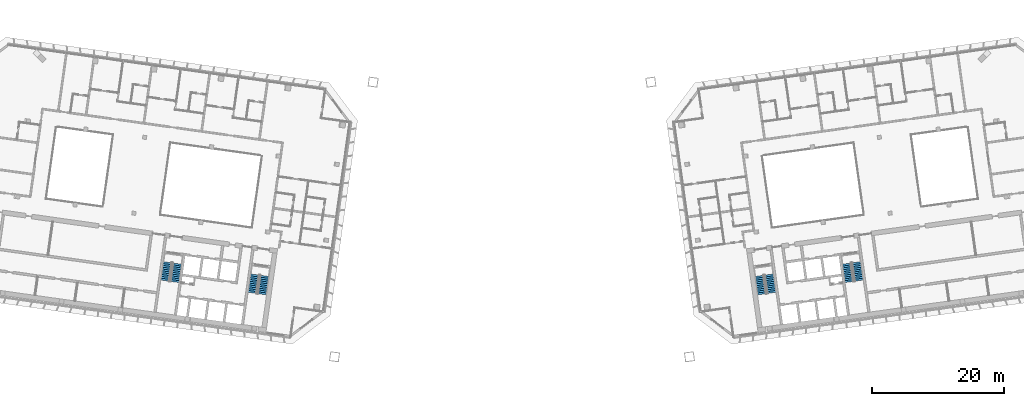
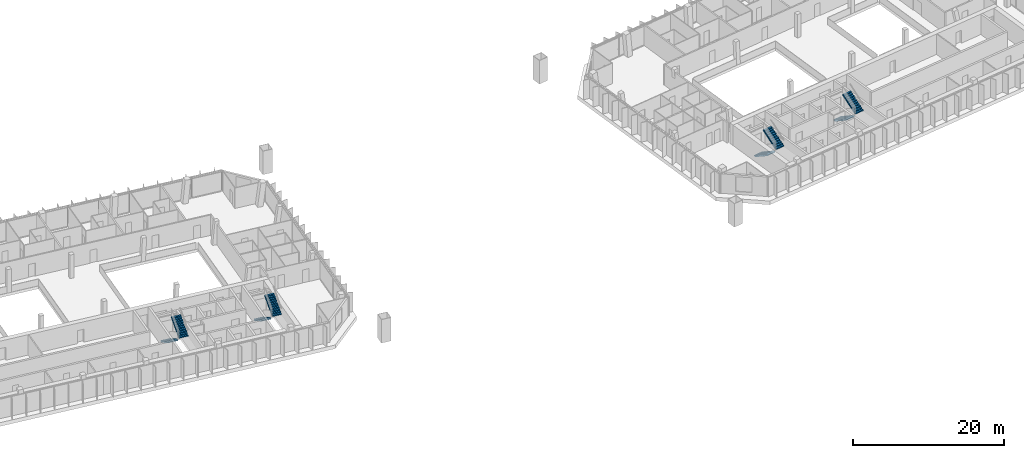
# One storey, part 23 of 29: 8 stair flights, 4 elements without a shape of their own.
"""IFC4 building model written with IfcOpenShell, lengths in metres."""

from ifc_helpers import new_model, si_unit, direction, frame, origin, place, context, subcontext, project, spatial, polyline, outline, extrude, material, type_object, element, aggregate, save


model = new_model("IFC4")

# Units and contexts
model_context = context("Model", 3, precision=1e-05, world=origin(), true_north=direction((0.0, 1.0)))
body_context = subcontext(model_context, "Body", "Model", "MODEL_VIEW")
ifc_project = project(units=[si_unit("LENGTHUNIT", "METRE"), si_unit("AREAUNIT", "SQUARE_METRE"), si_unit("VOLUMEUNIT", "CUBIC_METRE"), si_unit("PLANEANGLEUNIT", "RADIAN"), si_unit("MASSUNIT", "GRAM", prefix="KILO")], contexts=[model_context])

# Site, building, storey
site_placement = place(None, origin())
site = spatial("IfcSite", under=ifc_project, at=site_placement, CompositionType="ELEMENT")
building_placement = place(site_placement, origin())
building = spatial("IfcBuilding", under=site, at=building_placement, Name="Mirante Cascada Hotel Towers", CompositionType="ELEMENT")
storey_placement = place(building_placement, frame((0.0, 0.0, 206.8)))
storey = spatial("IfcBuildingStorey", under=building, at=storey_placement, Name="L49", CompositionType="ELEMENT", Elevation=206.8)

# Stair, stair flights
ifc_material_1 = material(Name="Concrete C35/45", Category="concrete")
stair_type = type_object("IfcStairType", Name="Exit stair half-turn 1350 concrete C35/45", PredefinedType="HALF_TURN_STAIR", material=ifc_material_1)
stair_1_placement = place(storey_placement, origin())
stair_1 = element("IfcStair", 1, at=stair_1_placement, inside=storey, type_object=stair_type, Name="L49 Exit stair A", PredefinedType="HALF_TURN_STAIR")
ifc_material_2 = material(Name="Concrete C35/45", Category="concrete")
stair_flight_type = type_object("IfcStairFlightType", Name="Exit stair flight 1350 concrete C35/45", PredefinedType="STRAIGHT", material=ifc_material_2)
stair_flight_1_placement = place(storey_placement, frame((-38.9417, -11.195, 0.0), z_axis=(0.0, 0.0, 1.0), x_axis=(-0.1391731, -0.9902681, 0.0)))
stair_flight_1 = element("IfcStairFlight", 2, at=stair_flight_1_placement, type_object=stair_flight_type, Name="ST1-A flight 1", NumberOfRisers=11, NumberOfTreads=10, PredefinedType="STRAIGHT", RiserHeight=0.172727273, TreadLength=0.28, context=body_context, shape_type="SweptSolid", body=[
    extrude(outline(polyline([(0.0, 0.0), (0.0, 0.1727), (0.28, 0.1727), (0.28, 0.3455), (0.56, 0.3455), (0.56, 0.5182), (0.84, 0.5182), (0.84, 0.6909), (1.12, 0.6909), (1.12, 0.8636), (1.4, 0.8636), (1.4, 1.0364), (1.68, 1.0364), (1.68, 1.2091), (1.96, 1.2091), (1.96, 1.3818), (2.24, 1.3818), (2.24, 1.5545), (2.52, 1.5545), (2.52, 1.7273), (2.8, 1.7273), (2.8, 1.9), (2.8, 1.551), (0.2857, 0.0), (0.0, 0.0)])), frame((0.0, 0.675, 0.0), z_axis=(0.0, -1.0, 0.0), x_axis=(1.0, 0.0, 0.0)), (0.0, 0.0, 1.0), 1.35),
])
stair_flight_2_placement = place(storey_placement, frame((-37.846, -14.1765, 1.9), z_axis=(0.0, 0.0, 1.0), x_axis=(0.1391731, 0.9902681, 0.0)))
stair_flight_2 = element("IfcStairFlight", 3, at=stair_flight_2_placement, type_object=stair_flight_type, Name="ST1-A flight 2", NumberOfRisers=11, NumberOfTreads=10, PredefinedType="STRAIGHT", RiserHeight=0.172727273, TreadLength=0.28, context=body_context, shape_type="SweptSolid", body=[
    extrude(outline(polyline([(0.0, 0.0), (0.0, 0.1727), (0.28, 0.1727), (0.28, 0.3455), (0.56, 0.3455), (0.56, 0.5182), (0.84, 0.5182), (0.84, 0.6909), (1.12, 0.6909), (1.12, 0.8636), (1.4, 0.8636), (1.4, 1.0364), (1.68, 1.0364), (1.68, 1.2091), (1.96, 1.2091), (1.96, 1.3818), (2.24, 1.3818), (2.24, 1.5545), (2.52, 1.5545), (2.52, 1.7273), (2.8, 1.7273), (2.8, 1.9), (2.8, 1.551), (0.2857, 0.0), (0.0, 0.0)])), frame((0.0, 0.675, 0.0), z_axis=(0.0, -1.0, 0.0), x_axis=(1.0, 0.0, 0.0)), (0.0, 0.0, 1.0), 1.35),
])
aggregate(stair_1, [stair_flight_1, stair_flight_2])

stair_2_placement = place(storey_placement, origin())
stair_2 = element("IfcStair", 4, at=stair_2_placement, inside=storey, type_object=stair_type, Name="L49 Exit stair B", PredefinedType="HALF_TURN_STAIR")
stair_flight_3_placement = place(storey_placement, frame((-52.1618, -9.3371, 0.0), z_axis=(0.0, 0.0, 1.0), x_axis=(-0.1391731, -0.9902681, 0.0)))
stair_flight_3 = element("IfcStairFlight", 5, at=stair_flight_3_placement, type_object=stair_flight_type, Name="ST1-B flight 1", NumberOfRisers=11, NumberOfTreads=10, PredefinedType="STRAIGHT", RiserHeight=0.172727273, TreadLength=0.28, context=body_context, shape_type="SweptSolid", body=[
    extrude(outline(polyline([(0.0, 0.0), (0.0, 0.1727), (0.28, 0.1727), (0.28, 0.3455), (0.56, 0.3455), (0.56, 0.5182), (0.84, 0.5182), (0.84, 0.6909), (1.12, 0.6909), (1.12, 0.8636), (1.4, 0.8636), (1.4, 1.0364), (1.68, 1.0364), (1.68, 1.2091), (1.96, 1.2091), (1.96, 1.3818), (2.24, 1.3818), (2.24, 1.5545), (2.52, 1.5545), (2.52, 1.7273), (2.8, 1.7273), (2.8, 1.9), (2.8, 1.551), (0.2857, 0.0), (0.0, 0.0)])), frame((0.0, 0.675, 0.0), z_axis=(0.0, -1.0, 0.0), x_axis=(1.0, 0.0, 0.0)), (0.0, 0.0, 1.0), 1.35),
])
stair_flight_4_placement = place(storey_placement, frame((-51.0661, -12.3186, 1.9), z_axis=(0.0, 0.0, 1.0), x_axis=(0.1391731, 0.9902681, 0.0)))
stair_flight_4 = element("IfcStairFlight", 6, at=stair_flight_4_placement, type_object=stair_flight_type, Name="ST1-B flight 2", NumberOfRisers=11, NumberOfTreads=10, PredefinedType="STRAIGHT", RiserHeight=0.172727273, TreadLength=0.28, context=body_context, shape_type="SweptSolid", body=[
    extrude(outline(polyline([(0.0, 0.0), (0.0, 0.1727), (0.28, 0.1727), (0.28, 0.3455), (0.56, 0.3455), (0.56, 0.5182), (0.84, 0.5182), (0.84, 0.6909), (1.12, 0.6909), (1.12, 0.8636), (1.4, 0.8636), (1.4, 1.0364), (1.68, 1.0364), (1.68, 1.2091), (1.96, 1.2091), (1.96, 1.3818), (2.24, 1.3818), (2.24, 1.5545), (2.52, 1.5545), (2.52, 1.7273), (2.8, 1.7273), (2.8, 1.9), (2.8, 1.551), (0.2857, 0.0), (0.0, 0.0)])), frame((0.0, 0.675, 0.0), z_axis=(0.0, -1.0, 0.0), x_axis=(1.0, 0.0, 0.0)), (0.0, 0.0, 1.0), 1.35),
])
aggregate(stair_2, [stair_flight_3, stair_flight_4])

stair_3_placement = place(storey_placement, origin())
stair_3 = element("IfcStair", 7, at=stair_3_placement, inside=storey, type_object=stair_type, Name="L49 Exit stair A", PredefinedType="HALF_TURN_STAIR")
stair_flight_5_placement = place(storey_placement, frame((37.4563, -11.4038, 0.0), z_axis=(0.0, 0.0, 1.0), x_axis=(0.1391731, -0.9902681, 0.0)))
stair_flight_5 = element("IfcStairFlight", 8, at=stair_flight_5_placement, type_object=stair_flight_type, Name="ST2-A flight 1", NumberOfRisers=11, NumberOfTreads=10, PredefinedType="STRAIGHT", RiserHeight=0.172727273, TreadLength=0.28, context=body_context, shape_type="SweptSolid", body=[
    extrude(outline(polyline([(0.0, 0.0), (0.0, 0.1727), (0.28, 0.1727), (0.28, 0.3455), (0.56, 0.3455), (0.56, 0.5182), (0.84, 0.5182), (0.84, 0.6909), (1.12, 0.6909), (1.12, 0.8636), (1.4, 0.8636), (1.4, 1.0364), (1.68, 1.0364), (1.68, 1.2091), (1.96, 1.2091), (1.96, 1.3818), (2.24, 1.3818), (2.24, 1.5545), (2.52, 1.5545), (2.52, 1.7273), (2.8, 1.7273), (2.8, 1.9), (2.8, 1.551), (0.2857, 0.0), (0.0, 0.0)])), frame((0.0, 0.675, 0.0), z_axis=(0.0, -1.0, 0.0), x_axis=(1.0, 0.0, 0.0)), (0.0, 0.0, 1.0), 1.35),
])
stair_flight_6_placement = place(storey_placement, frame((39.3314, -13.9678, 1.9), z_axis=(0.0, 0.0, 1.0), x_axis=(-0.1391731, 0.9902681, 0.0)))
stair_flight_6 = element("IfcStairFlight", 9, at=stair_flight_6_placement, type_object=stair_flight_type, Name="ST2-A flight 2", NumberOfRisers=11, NumberOfTreads=10, PredefinedType="STRAIGHT", RiserHeight=0.172727273, TreadLength=0.28, context=body_context, shape_type="SweptSolid", body=[
    extrude(outline(polyline([(0.0, 0.0), (0.0, 0.1727), (0.28, 0.1727), (0.28, 0.3455), (0.56, 0.3455), (0.56, 0.5182), (0.84, 0.5182), (0.84, 0.6909), (1.12, 0.6909), (1.12, 0.8636), (1.4, 0.8636), (1.4, 1.0364), (1.68, 1.0364), (1.68, 1.2091), (1.96, 1.2091), (1.96, 1.3818), (2.24, 1.3818), (2.24, 1.5545), (2.52, 1.5545), (2.52, 1.7273), (2.8, 1.7273), (2.8, 1.9), (2.8, 1.551), (0.2857, 0.0), (0.0, 0.0)])), frame((0.0, 0.675, 0.0), z_axis=(0.0, -1.0, 0.0), x_axis=(1.0, 0.0, 0.0)), (0.0, 0.0, 1.0), 1.35),
])
aggregate(stair_3, [stair_flight_5, stair_flight_6])

stair_4_placement = place(storey_placement, origin())
stair_4 = element("IfcStair", 10, at=stair_4_placement, inside=storey, type_object=stair_type, Name="L49 Exit stair B", PredefinedType="HALF_TURN_STAIR")
stair_flight_7_placement = place(storey_placement, frame((50.6764, -9.5458, 0.0), z_axis=(0.0, 0.0, 1.0), x_axis=(0.1391731, -0.9902681, 0.0)))
stair_flight_7 = element("IfcStairFlight", 11, at=stair_flight_7_placement, type_object=stair_flight_type, Name="ST2-B flight 1", NumberOfRisers=11, NumberOfTreads=10, PredefinedType="STRAIGHT", RiserHeight=0.172727273, TreadLength=0.28, context=body_context, shape_type="SweptSolid", body=[
    extrude(outline(polyline([(0.0, 0.0), (0.0, 0.1727), (0.28, 0.1727), (0.28, 0.3455), (0.56, 0.3455), (0.56, 0.5182), (0.84, 0.5182), (0.84, 0.6909), (1.12, 0.6909), (1.12, 0.8636), (1.4, 0.8636), (1.4, 1.0364), (1.68, 1.0364), (1.68, 1.2091), (1.96, 1.2091), (1.96, 1.3818), (2.24, 1.3818), (2.24, 1.5545), (2.52, 1.5545), (2.52, 1.7273), (2.8, 1.7273), (2.8, 1.9), (2.8, 1.551), (0.2857, 0.0), (0.0, 0.0)])), frame((0.0, 0.675, 0.0), z_axis=(0.0, -1.0, 0.0), x_axis=(1.0, 0.0, 0.0)), (0.0, 0.0, 1.0), 1.35),
])
stair_flight_8_placement = place(storey_placement, frame((52.5515, -12.1098, 1.9), z_axis=(0.0, 0.0, 1.0), x_axis=(-0.1391731, 0.9902681, 0.0)))
stair_flight_8 = element("IfcStairFlight", 12, at=stair_flight_8_placement, type_object=stair_flight_type, Name="ST2-B flight 2", NumberOfRisers=11, NumberOfTreads=10, PredefinedType="STRAIGHT", RiserHeight=0.172727273, TreadLength=0.28, context=body_context, shape_type="SweptSolid", body=[
    extrude(outline(polyline([(0.0, 0.0), (0.0, 0.1727), (0.28, 0.1727), (0.28, 0.3455), (0.56, 0.3455), (0.56, 0.5182), (0.84, 0.5182), (0.84, 0.6909), (1.12, 0.6909), (1.12, 0.8636), (1.4, 0.8636), (1.4, 1.0364), (1.68, 1.0364), (1.68, 1.2091), (1.96, 1.2091), (1.96, 1.3818), (2.24, 1.3818), (2.24, 1.5545), (2.52, 1.5545), (2.52, 1.7273), (2.8, 1.7273), (2.8, 1.9), (2.8, 1.551), (0.2857, 0.0), (0.0, 0.0)])), frame((0.0, 0.675, 0.0), z_axis=(0.0, -1.0, 0.0), x_axis=(1.0, 0.0, 0.0)), (0.0, 0.0, 1.0), 1.35),
])
aggregate(stair_4, [stair_flight_7, stair_flight_8])

save(model, "model.ifc")
